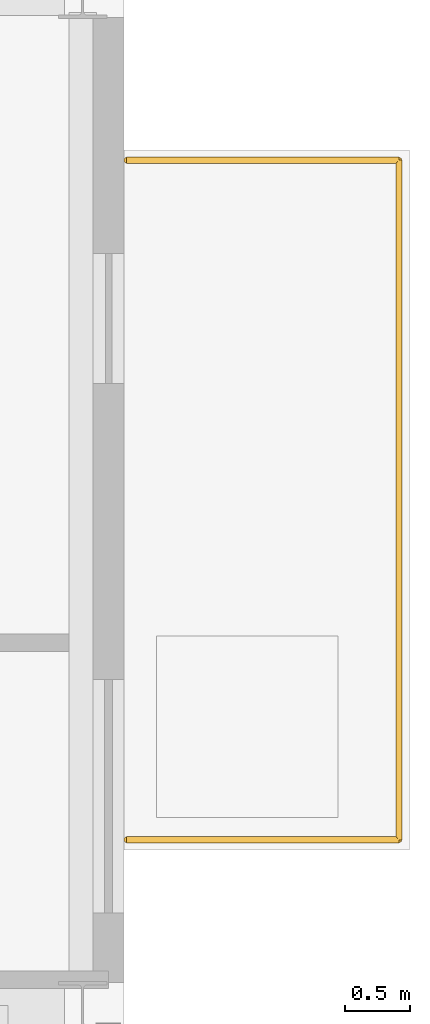
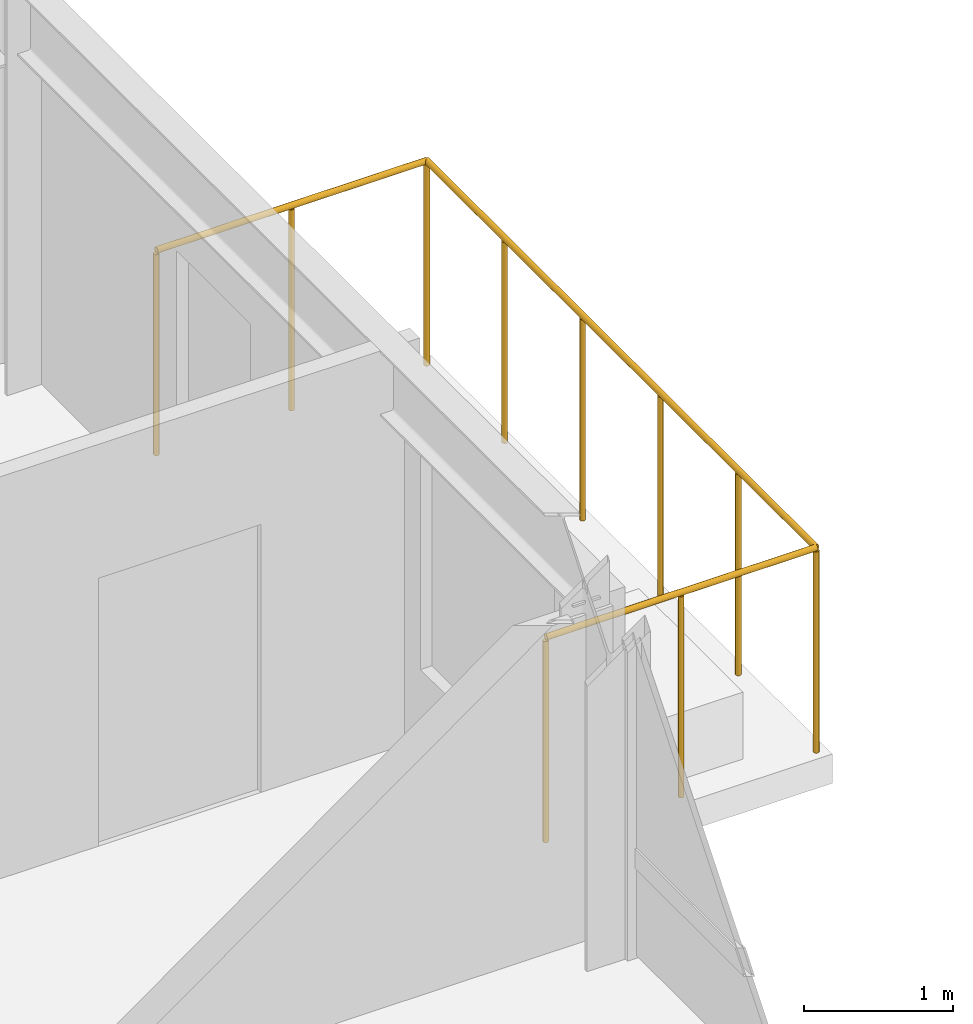
# One storey, part 34 of 34: 1 railing.
"""IFC4 building model written with IfcOpenShell, lengths in metres."""

from ifc_helpers import new_model, si_unit, direction, frame, origin, origin_2d, place, context, subcontext, project, spatial, circle, extrude, material, type_object, element, save


model = new_model("IFC4")

# Units and contexts
model_context = context("Model", 3, precision=1e-05, world=origin(), true_north=direction((0.0, 1.0)))
body_context = subcontext(model_context, "Body", "Model", "MODEL_VIEW")
ifc_project = project(units=[si_unit("LENGTHUNIT", "METRE"), si_unit("AREAUNIT", "SQUARE_METRE"), si_unit("VOLUMEUNIT", "CUBIC_METRE"), si_unit("PLANEANGLEUNIT", "RADIAN"), si_unit("MASSUNIT", "GRAM", prefix="KILO")], contexts=[model_context])

# Site, building, storey
site_placement = place(None, origin())
site = spatial("IfcSite", under=ifc_project, at=site_placement, CompositionType="ELEMENT")
building_placement = place(site_placement, origin())
building = spatial("IfcBuilding", under=site, at=building_placement, Name="Drelvath Grand Hotel", CompositionType="ELEMENT")
storey_placement = place(building_placement, frame((0.0, 0.0, 251.89990234375)))
storey = spatial("IfcBuildingStorey", under=building, at=storey_placement, Name="L66", CompositionType="ELEMENT", Elevation=251.89990234375)

# Railing
ifc_material = material(Name="Anodised Aluminium and Laminated Glass Balustrade", Category="aluminium")
railing_type = type_object("IfcRailingType", Name="Raised Planter Edge Balustrade 1700", PredefinedType="BALUSTRADE", material=ifc_material)
railing_placement = place(storey_placement, frame((22.219970703125, 36.679931640625, 0.0)))
element("IfcRailing", 1, at=railing_placement, inside=storey, type_object=railing_type, Name="L66 Tree Balcony Perimeter Balustrade 1", PredefinedType="BALUSTRADE", context=body_context, shape_type="SweptSolid", body=[
    extrude(circle(Radius=0.02392578125, at=origin_2d()), frame((0.0, 0.0, 1.67578125), z_axis=(1.0, 0.0, 0.0), x_axis=(0.0, 1.0, 0.0)), (0.0, 0.0, 1.0), 2.10009765625),
    extrude(circle(Radius=0.02392578125, at=origin_2d()), frame((2.10009765625, 0.0, 1.67578125), z_axis=(0.0, 1.0, 0.0), x_axis=(-1.0, 0.0, 0.0)), (0.0, 0.0, 1.0), 5.239990234375),
    extrude(circle(Radius=0.02392578125, at=origin_2d()), frame((2.10009765625, 5.239990234375, 1.67578125), z_axis=(-1.0, 0.0, 0.0), x_axis=(0.0, -1.0, 0.0)), (0.0, 0.0, 1.0), 2.10009765625),
    extrude(circle(Radius=0.02099609375, at=origin_2d()), origin(), (0.0, 0.0, 1.0), 1.65185546875),
    extrude(circle(Radius=0.02099609375, at=origin_2d()), frame((1.050048828125, 0.0, 0.0)), (0.0, 0.0, 1.0), 1.65185546875),
    extrude(circle(Radius=0.02099609375, at=origin_2d()), frame((2.10009765625, 0.0, 0.0)), (0.0, 0.0, 1.0), 1.65185546875),
    extrude(circle(Radius=0.02099609375, at=origin_2d()), frame((2.10009765625, 1.048095703125, 0.0)), (0.0, 0.0, 1.0), 1.65185546875),
    extrude(circle(Radius=0.02099609375, at=origin_2d()), frame((2.10009765625, 2.095947265625, 0.0)), (0.0, 0.0, 1.0), 1.65185546875),
    extrude(circle(Radius=0.02099609375, at=origin_2d()), frame((2.10009765625, 3.14404296875, 0.0)), (0.0, 0.0, 1.0), 1.65185546875),
    extrude(circle(Radius=0.02099609375, at=origin_2d()), frame((2.10009765625, 4.19189453125, 0.0)), (0.0, 0.0, 1.0), 1.65185546875),
    extrude(circle(Radius=0.02099609375, at=origin_2d()), frame((2.10009765625, 5.239990234375, 0.0)), (0.0, 0.0, 1.0), 1.65185546875),
    extrude(circle(Radius=0.02099609375, at=origin_2d()), frame((1.050048828125, 5.239990234375, 0.0)), (0.0, 0.0, 1.0), 1.65185546875),
    extrude(circle(Radius=0.02099609375, at=origin_2d()), frame((0.0, 5.239990234375, 0.0)), (0.0, 0.0, 1.0), 1.65185546875),
])

save(model, "model.ifc")
